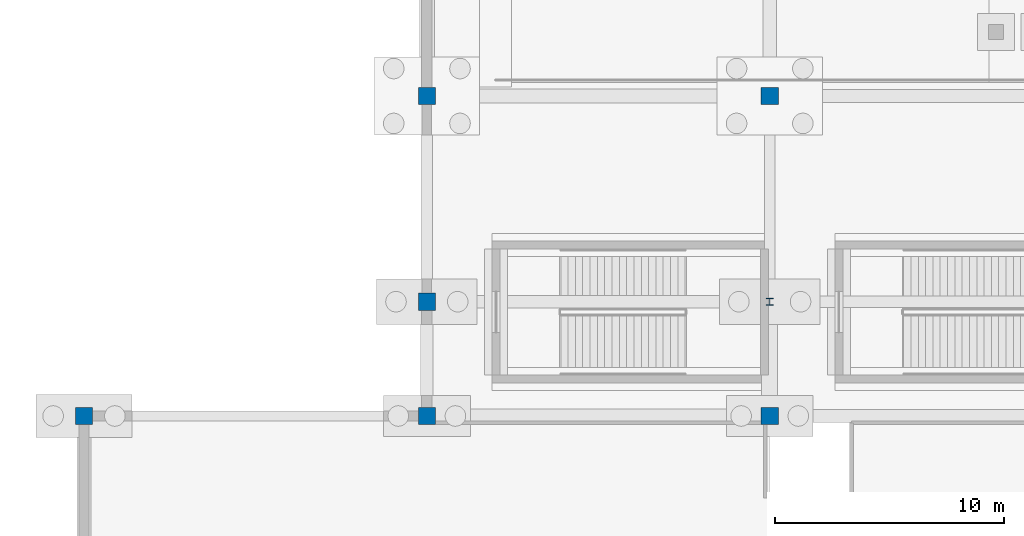
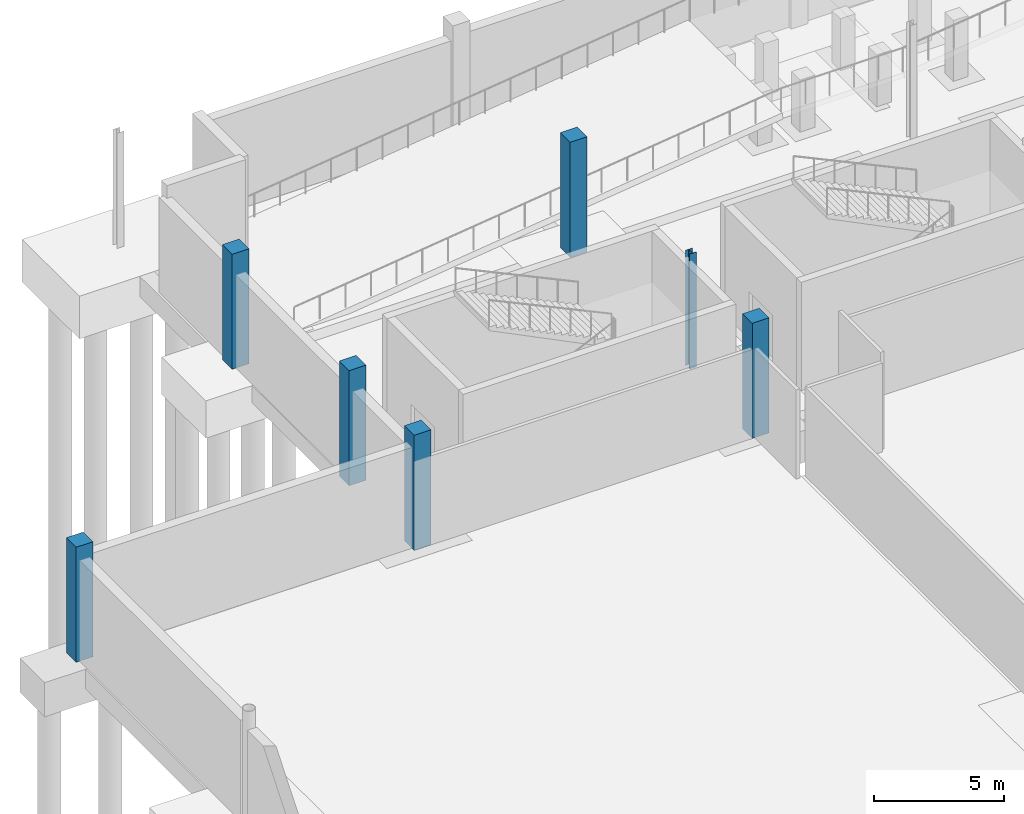
# One storey, part 22 of 58: 7 columns.
"""IFC4 building model written with IfcOpenShell, lengths in metres."""

import ifcopenshell
import ifcopenshell.guid

model = None  # the IFC model being written
_history = None  # IfcOwnerHistory: only IFC2X3 demands one
_inside = {}  # id of a spatial element -> (the spatial element, [elements in it])
_under = {}  # id of a project, library or spatial element -> (it, [spatial elements below it])
_declared = {}  # id of a project -> (the project, [libraries it declares])
_typed = {}  # id of a type object -> (the type object, [elements of that type])
_made_of = {}  # id of a material, layer set ... -> (it, [elements and type objects made of it])


def new_model(schema):
    """Start an empty IFC model of exactly this schema.

    Asked for "IFC4X3", IfcOpenShell would pick the latest addendum, in which some entities
    have other attributes; the version numbers below select the first issue.
    IFC2X3 requires an IfcOwnerHistory on every rooted entity: one is made here for all.
    """
    global model, _history
    if schema == "IFC4X3":
        model = ifcopenshell.file(schema_version=(4, 3, 0, 0))
    else:
        model = ifcopenshell.file(schema=schema)
    _inside.clear()
    _under.clear()
    _declared.clear()
    _typed.clear()
    _made_of.clear()
    _history = None
    if model.schema == "IFC2X3":
        org = make("IfcOrganization", Name="unknown")
        user = make(
            "IfcPersonAndOrganization",
            ThePerson=make("IfcPerson", FamilyName="unknown"),
            TheOrganization=org,
        )
        app = make(
            "IfcApplication",
            ApplicationDeveloper=org,
            Version="unknown",
            ApplicationFullName="unknown",
            ApplicationIdentifier="unknown",
        )
        _history = make(
            "IfcOwnerHistory",
            OwningUser=user,
            OwningApplication=app,
            ChangeAction="ADDED",
            CreationDate=0,
        )
    return model


def make(cls, **values):
    """One entity of the class cls with the attributes given. An attribute that is None is left unset."""
    return model.create_entity(
        cls, **{name: value for name, value in values.items() if value is not None}
    )


def rooted(cls, **values):
    """An entity with a GlobalId (a new one), such as an element, a storey or a relation."""
    return make(cls, GlobalId=ifcopenshell.guid.new(), OwnerHistory=_history, **values)


def si_unit(unit_type, name, prefix=None):
    """IfcSIUnit, for example si_unit("LENGTHUNIT", "METRE", prefix="MILLI")."""
    return make("IfcSIUnit", UnitType=unit_type, Prefix=prefix, Name=name)


def assignment(units):
    """IfcUnitAssignment: the units of a project."""
    return None if units is None else make("IfcUnitAssignment", Units=units)


def point(xyz):
    """IfcCartesianPoint."""
    return None if xyz is None else make("IfcCartesianPoint", Coordinates=xyz)


def direction(xyz):
    """IfcDirection."""
    return None if xyz is None else make("IfcDirection", DirectionRatios=xyz)


def frame(location, z_axis=None, x_axis=None):
    """IfcAxis2Placement3D, a coordinate frame: its origin and axes. An axis left out is left unset."""
    return make(
        "IfcAxis2Placement3D",
        Location=point(location),
        Axis=direction(z_axis),
        RefDirection=direction(x_axis),
    )


def frame_2d(location, x_axis=None):
    """IfcAxis2Placement2D, a coordinate frame in the plane: its origin and x axis."""
    return make(
        "IfcAxis2Placement2D", Location=point(location), RefDirection=direction(x_axis)
    )


def origin():
    """The frame at (0, 0, 0) with its axes left unset."""
    return frame((0.0, 0.0, 0.0))


def origin_2d():
    """The frame at (0, 0) in the plane with its x axis left unset."""
    return frame_2d((0.0, 0.0))


def place(relative_to, where):
    """IfcLocalPlacement: puts the frame where relative to a parent placement (None: the world)."""
    return make(
        "IfcLocalPlacement", PlacementRelTo=relative_to, RelativePlacement=where
    )


def context(
    kind, dimensions, precision=None, world=None, true_north=None, identifier=None
):
    """IfcGeometricRepresentationContext, for example the 3D "Model" context."""
    return make(
        "IfcGeometricRepresentationContext",
        ContextIdentifier=identifier,
        ContextType=kind,
        CoordinateSpaceDimension=dimensions,
        Precision=precision,
        WorldCoordinateSystem=world,
        TrueNorth=true_north,
    )


def subcontext(parent, identifier, kind, view, scale=None):
    """IfcGeometricRepresentationSubContext, for example "Body" below "Model"."""
    return make(
        "IfcGeometricRepresentationSubContext",
        ContextIdentifier=identifier,
        ContextType=kind,
        ParentContext=parent,
        TargetScale=scale,
        TargetView=view,
    )


def project(units=None, contexts=None):
    """IfcProject with its units and contexts."""
    return rooted(
        "IfcProject",
        Name="project",
        RepresentationContexts=contexts,
        UnitsInContext=assignment(units),
    )


def spatial(cls, under=None, at=None, **own):
    """A site, building, storey or space (cls), placed at a placement, below another one or the project."""
    s = rooted(cls, ObjectPlacement=at, **own)
    if under is not None:
        _under.setdefault(under.id(), (under, []))[1].append(s)
    return s


def profile(cls, at=None, kind="AREA", **sizes):
    """A parametric profile (cls). Its sizes go by their IFC names, for example OverallWidth=200.0."""
    return make(cls, ProfileType=kind, Position=at, **sizes)


def rectangle(**sizes):
    """IfcRectangleProfileDef."""
    return profile("IfcRectangleProfileDef", **sizes)


def i_section(**sizes):
    """IfcIShapeProfileDef."""
    return profile("IfcIShapeProfileDef", **sizes)


def extrude(swept, where, along, depth):
    """IfcExtrudedAreaSolid: the profile swept, set in the frame where, extruded along a direction by depth."""
    return make(
        "IfcExtrudedAreaSolid",
        SweptArea=swept,
        Position=where,
        ExtrudedDirection=direction(along),
        Depth=depth,
    )


def shape(context_of_items, identifier, shape_type, items):
    """IfcShapeRepresentation: the items that make up one representation, for example the "Body"."""
    return make(
        "IfcShapeRepresentation",
        ContextOfItems=context_of_items,
        RepresentationIdentifier=identifier,
        RepresentationType=shape_type,
        Items=items,
    )


def material(Name=None, Category=None):
    """IfcMaterial."""
    return make("IfcMaterial", Name=Name, Category=Category)


def material_profile(
    of_material, cross_section, Name=None, Category=None, Priority=None
):
    """IfcMaterialProfile: a cross section and its material."""
    return make(
        "IfcMaterialProfile",
        Name=Name,
        Material=of_material,
        Profile=cross_section,
        Priority=Priority,
        Category=Category,
    )


def profile_set(profiles, Name=None, composite=None):
    """IfcMaterialProfileSet."""
    return make(
        "IfcMaterialProfileSet",
        Name=Name,
        MaterialProfiles=profiles,
        CompositeProfile=composite,
    )


def made_of(thing, what):
    """Note that an element or type object is made of a material, layer set ...; save() writes the relation."""
    if what is not None:
        _made_of.setdefault(what.id(), (what, []))[1].append(thing)
    return thing


def type_object(cls, material=None, **own):
    """A type object (cls), such as IfcWallType, which elements share."""
    return made_of(rooted(cls, **own), material)


def element(
    cls,
    number,
    at=None,
    inside=None,
    cuts=None,
    type_object=None,
    material=None,
    context=None,
    identifier="Body",
    shape_type=None,
    held_by="IfcProductDefinitionShape",
    body=None,
    shapes=None,
    **own,
):
    """One element of the class cls, such as IfcWall. Its Tag is "e" and its number.

    at: its placement. inside: the storey or other place that contains it. cuts: it is an
    opening in that element (IfcRelVoidsElement). A single representation is given by context,
    identifier, shape_type and body (its items); several are given by shapes. held_by: the class
    of the entity that holds the representations. save() writes the other relations.
    """
    e = rooted(cls, Tag="e%d" % number, ObjectPlacement=at, **own)
    if body is not None:
        shapes = [shape(context, identifier, shape_type, body)]
    if shapes is not None:
        e.Representation = make(held_by, Representations=shapes)
    if inside is not None:
        _inside.setdefault(inside.id(), (inside, []))[1].append(e)
    if cuts is not None:
        rooted(
            "IfcRelVoidsElement", RelatingBuildingElement=cuts, RelatedOpeningElement=e
        )
    if type_object is not None:
        _typed.setdefault(type_object.id(), (type_object, []))[1].append(e)
    return made_of(e, material)


def aggregate(whole, parts):
    """IfcRelAggregates: a whole, such as a stair, and the parts it consists of."""
    return rooted("IfcRelAggregates", RelatingObject=whole, RelatedObjects=parts)


def save(model, path):
    """Write the relations noted so far, then the file.

    IfcRelAggregates (storeys below a building ...), IfcRelContainedInSpatialStructure (elements
    in a storey), IfcRelDefinesByType, IfcRelAssociatesMaterial and IfcRelDeclares: one each for
    every whole, place, type object, material and project.
    """
    for whole, parts in _under.values():
        aggregate(whole, parts)
    for where, things in _inside.values():
        rooted(
            "IfcRelContainedInSpatialStructure",
            RelatedElements=things,
            RelatingStructure=where,
        )
    for kind, things in _typed.values():
        rooted("IfcRelDefinesByType", RelatedObjects=things, RelatingType=kind)
    for what, things in _made_of.values():
        rooted("IfcRelAssociatesMaterial", RelatedObjects=things, RelatingMaterial=what)
    for by, libraries in _declared.values():
        rooted("IfcRelDeclares", RelatingContext=by, RelatedDefinitions=libraries)
    model.write(path)


model = new_model("IFC4")

# Units and contexts
model_context = context("Model", 3, precision=1e-05, world=origin(), true_north=direction((0.0, 1.0)))
body_context = subcontext(model_context, "Body", "Model", "MODEL_VIEW")
ifc_project = project(units=[si_unit("LENGTHUNIT", "METRE"), si_unit("AREAUNIT", "SQUARE_METRE"), si_unit("VOLUMEUNIT", "CUBIC_METRE"), si_unit("PLANEANGLEUNIT", "RADIAN"), si_unit("MASSUNIT", "GRAM", prefix="KILO")], contexts=[model_context])

# Site, building, storey
site_placement = place(None, origin())
site = spatial("IfcSite", under=ifc_project, at=site_placement, CompositionType="ELEMENT")
building_placement = place(site_placement, origin())
building = spatial("IfcBuilding", under=site, at=building_placement, Name="Qamarlyn Nura Convention Centre", CompositionType="ELEMENT")
storey_placement = place(building_placement, frame((0.0, 0.0, -5.39990234375)))
storey = spatial("IfcBuildingStorey", under=building, at=storey_placement, Name="B01", CompositionType="ELEMENT", Elevation=-5.39990234375)

# Columns
ifc_material_1 = material(Name="Concrete C50/60", Category="concrete")
ifc_material_profile_1 = material_profile(ifc_material_1, rectangle(XDim=0.75, YDim=0.75, at=origin_2d()), Name="RC 750x750")
ifc_profile_set_1 = profile_set([ifc_material_profile_1], Name="Concrete C50/60")
column_type_1 = type_object("IfcColumnType", Name="COL-SUB-2", PredefinedType="COLUMN", material=ifc_profile_set_1)
for number, where, z_axis, x_axis, name in (
    (1, (0.0, 103.0, 0.0), (0.0, 0.0, 1.0), (1.0, 0.0, 0.0), "B01 column 1/M"),
    (2, (15.0, 103.0, 0.0), (0.0, 0.0, 1.0), (1.0, 0.0, 0.0), "B01 column 2/M"),
    (3, (15.0, 108.0, 0.0), (0.0, 0.0, 1.0), (1.0, 0.0, 0.0), "B01 column 2/N"),
    (4, (15.0, 117.0, 0.0), (0.0, 0.0, 1.0), (1.0, 0.0, 0.0), "B01 column 2/P"),
    (5, (30.0, 103.0, 0.0), (0.0, 0.0, 1.0), (1.0, 0.0, 0.0), "B01 column 3/M"),
    (6, (30.0, 117.0, 0.0), (0.0, 0.0, 1.0), (1.0, 0.0, 0.0), "B01 column 3/P"),
):
    element("IfcColumn", number, at=place(storey_placement, frame(where, z_axis=z_axis, x_axis=x_axis)), inside=storey, type_object=column_type_1, Name=name, PredefinedType="COLUMN", context=body_context, shape_type="SweptSolid", body=[
        extrude(rectangle(XDim=0.75, YDim=0.75, at=origin_2d()), origin(), (0.0, 0.0, 1.0), 5.39990234375),
    ])
ifc_material_2 = material(Name="Steel ASTM A992", Category="steel")
ifc_material_profile_2 = material_profile(ifc_material_2, i_section(OverallWidth=0.304931640625, OverallDepth=0.30810546875, WebThickness=0.010009765625, FlangeThickness=0.015380859375, FilletRadius=0.014892578125, at=origin_2d()), Name="W310X97")
ifc_profile_set_2 = profile_set([ifc_material_profile_2], Name="Steel ASTM A992")
column_type_2 = type_object("IfcColumnType", Name="COL-WING-4", PredefinedType="COLUMN", material=ifc_profile_set_2)
column_placement = place(storey_placement, frame((30.0, 108.0, 0.0), z_axis=(0.0, 0.0, 1.0), x_axis=(1.0, 0.0, 0.0)))
element("IfcColumn", 7, at=column_placement, inside=storey, type_object=column_type_2, Name="B01 column 3/N", PredefinedType="COLUMN", context=body_context, shape_type="SweptSolid", body=[
    extrude(i_section(OverallWidth=0.304931640625, OverallDepth=0.30810546875, WebThickness=0.010009765625, FlangeThickness=0.015380859375, FilletRadius=0.014892578125, at=origin_2d()), origin(), (0.0, 0.0, 1.0), 5.39990234375),
])

save(model, "model.ifc")
